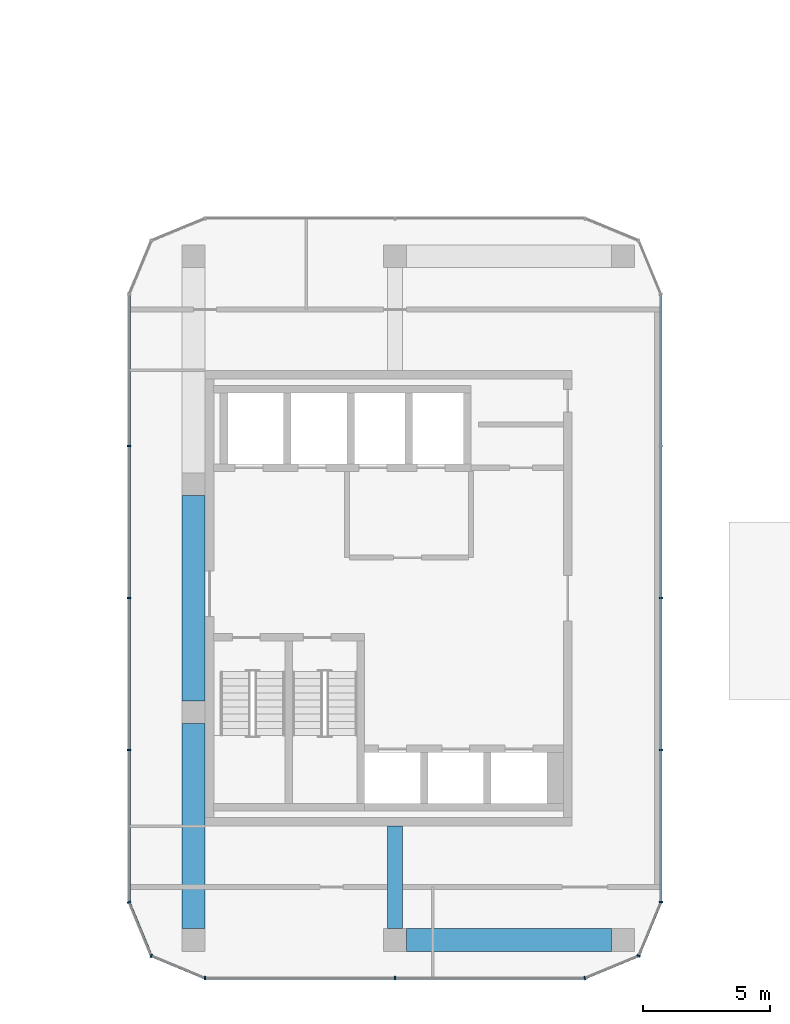
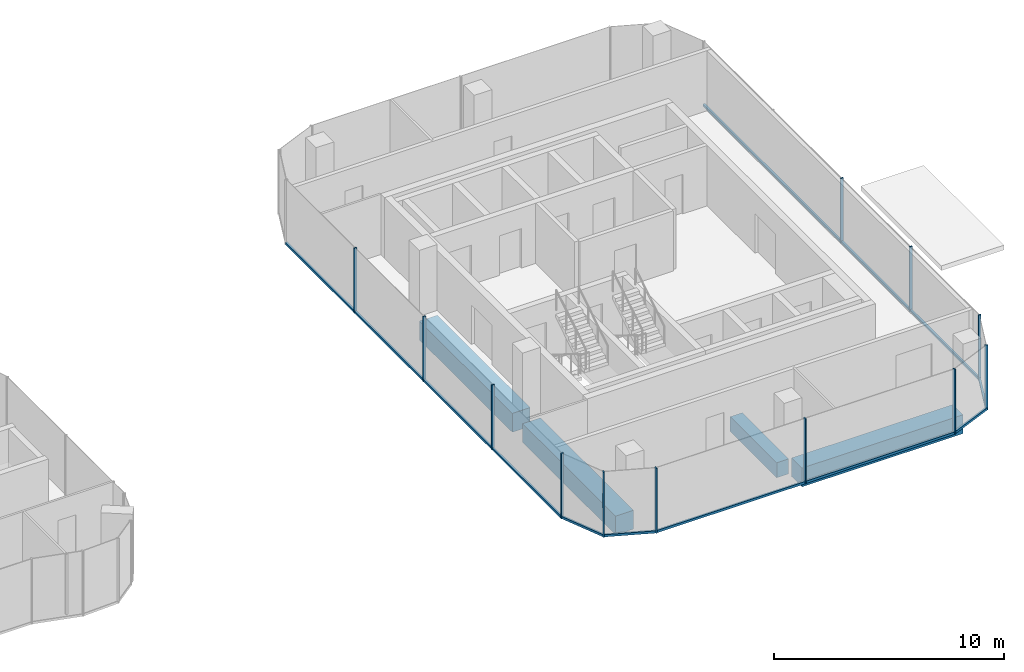
# One storey, part 7 of 19: 19 members, 4 beams, 7 elements without a shape of their own.
"""IFC4 building model written with IfcOpenShell, lengths in metres."""

from ifc_helpers import new_model, si_unit, direction, frame, origin, origin_2d, place, context, subcontext, project, spatial, rectangle, extrude, material, layer, layer_set, material_profile, profile_set, type_object, element, aggregate, save


model = new_model("IFC4")

# Units and contexts
model_context = context("Model", 3, precision=1e-05, world=origin(), true_north=direction((0.0, 1.0)))
body_context = subcontext(model_context, "Body", "Model", "MODEL_VIEW")
ifc_project = project(units=[si_unit("LENGTHUNIT", "METRE"), si_unit("AREAUNIT", "SQUARE_METRE"), si_unit("VOLUMEUNIT", "CUBIC_METRE"), si_unit("PLANEANGLEUNIT", "RADIAN"), si_unit("MASSUNIT", "GRAM", prefix="KILO")], contexts=[model_context])

# Site, building, storey
site_placement = place(None, origin())
site = spatial("IfcSite", under=ifc_project, at=site_placement, CompositionType="ELEMENT")
building_placement = place(site_placement, origin())
building = spatial("IfcBuilding", under=site, at=building_placement, Name="Plateau Cross Towers", CompositionType="ELEMENT")
storey_placement = place(building_placement, frame((0.0, 0.0, 120.300048828125)))
storey = spatial("IfcBuildingStorey", under=building, at=storey_placement, Name="L31", CompositionType="ELEMENT", Elevation=120.300048828125)

# Beams
ifc_material_1 = material(Name="Concrete C60/75", Category="concrete")
ifc_material_profile_1 = material_profile(ifc_material_1, rectangle(XDim=0.89990234375, YDim=1.0, at=origin_2d()), Name="RC 900x1000")
ifc_profile_set_1 = profile_set([ifc_material_profile_1], Name="Concrete C60/75")
beam_type_1 = type_object("IfcBeamType", Name="Belt beam RC 900x1000", PredefinedType="BEAM", material=ifc_profile_set_1)
for number, where, z_axis, x_axis, name in (
    (1, (82.949951171875, -4.5, -0.75), (1.0, 0.0, 0.0), (0.0, 1.0, 0.0), "B-RB01@L31"),
    (2, (74.550048828125, 13.050048828125, -0.75), (0.0, -1.0, 0.0), (1.0, 0.0, 0.0), "B-RB04@L31"),
    (3, (74.550048828125, 4.050048828125, -0.75), (0.0, -1.0, 0.0), (1.0, 0.0, 0.0), "B-RB05@L31"),
):
    element("IfcBeam", number, at=place(storey_placement, frame(where, z_axis=z_axis, x_axis=x_axis)), inside=storey, type_object=beam_type_1, Name=name, PredefinedType="BEAM", context=body_context, shape_type="SweptSolid", body=[
        extrude(rectangle(XDim=0.89990234375, YDim=1.0, at=origin_2d()), origin(), (0.0, 0.0, 1.0), 8.10009765625),
    ])
ifc_material_profile_2 = material_profile(ifc_material_1, rectangle(XDim=0.60009765625, YDim=0.800048828125, at=origin_2d()), Name="RC 600x800")
ifc_profile_set_2 = profile_set([ifc_material_profile_2], Name="Concrete C60/75")
beam_type_2 = type_object("IfcBeamType", Name="Core beam RC 600x800", PredefinedType="BEAM", material=ifc_profile_set_2)
beam_placement = place(storey_placement, frame((82.5, 0.0, -0.650146484375), z_axis=(0.0, -1.0, 0.0), x_axis=(1.0, 0.0, 0.0)))
element("IfcBeam", 4, at=beam_placement, inside=storey, type_object=beam_type_2, Name="B-CB01@L31", PredefinedType="BEAM", context=body_context, shape_type="SweptSolid", body=[
    extrude(rectangle(XDim=0.60009765625, YDim=0.800048828125, at=origin_2d()), origin(), (0.0, 0.0, 1.0), 4.050048828125),
])

# Curtain wall, members
ifc_material_2 = material(Name="Dark low-iron glass", Category="glass")
ifc_layer = layer(ifc_material_2, 0.239990234375)
ifc_layer_set = layer_set([ifc_layer], Name="Dark low-iron glass")
curtain_wall_type = type_object("IfcCurtainWallType", Name="Curtain wall office unitised CW-F", PredefinedType="NOTDEFINED", material=ifc_layer_set)
curtain_wall_1_placement = place(storey_placement, origin())
curtain_wall_1 = element("IfcCurtainWall", 5, at=curtain_wall_1_placement, inside=storey, type_object=curtain_wall_type, Name="ENV/B/L31/B750_-60", PredefinedType="NOTDEFINED")
ifc_material_3 = material(Name="Black anodised aluminium", Category="aluminium")
ifc_material_profile_3 = material_profile(ifc_material_3, rectangle(XDim=0.06005859375, YDim=0.139892578125, at=origin_2d()), Name="MULLION 60x140")
ifc_profile_set_3 = profile_set([ifc_material_profile_3], Name="Black anodised aluminium")
member_type_1 = type_object("IfcMemberType", Name="Mullion 60x140 office unitised", PredefinedType="MULLION", material=ifc_profile_set_3)
member_1_placement = place(storey_placement, frame((75.0, -6.0, -0.25), z_axis=(0.0, 0.0, 1.0), x_axis=(1.0, 0.0, 0.0)))
member_1 = element("IfcMember", 6, at=member_1_placement, type_object=member_type_1, Name="CW-F mullion 1", PredefinedType="MULLION", context=body_context, shape_type="SweptSolid", body=[
    extrude(rectangle(XDim=0.06005859375, YDim=0.139892578125, at=origin_2d()), origin(), (0.0, 0.0, 1.0), 3.449951171875),
])
member_2_placement = place(storey_placement, frame((82.5, -6.0, -0.25), z_axis=(0.0, 0.0, 1.0), x_axis=(1.0, 0.0, 0.0)))
member_2 = element("IfcMember", 7, at=member_2_placement, type_object=member_type_1, Name="CW-F mullion 2", PredefinedType="MULLION", context=body_context, shape_type="SweptSolid", body=[
    extrude(rectangle(XDim=0.06005859375, YDim=0.139892578125, at=origin_2d()), origin(), (0.0, 0.0, 1.0), 3.449951171875),
])

# Curtain wall, member
curtain_wall_2_placement = place(storey_placement, origin())
curtain_wall_2 = element("IfcCurtainWall", 8, at=curtain_wall_2_placement, inside=storey, type_object=curtain_wall_type, Name="ENV/B/L31/B900_-60", PredefinedType="NOTDEFINED")
member_3_placement = place(storey_placement, frame((90.0, -6.0, -0.25), z_axis=(0.0, 0.0, 1.0), x_axis=(0.923879457699, 0.382683612978, 0.0)))
member_3 = element("IfcMember", 9, at=member_3_placement, type_object=member_type_1, Name="CW-F mullion 1", PredefinedType="MULLION", context=body_context, shape_type="SweptSolid", body=[
    extrude(rectangle(XDim=0.06005859375, YDim=0.139892578125, at=origin_2d()), origin(), (0.0, 0.0, 1.0), 3.449951171875),
])

curtain_wall_3_placement = place(storey_placement, origin())
curtain_wall_3 = element("IfcCurtainWall", 10, at=curtain_wall_3_placement, inside=storey, type_object=curtain_wall_type, Name="ENV/B/L31/B921_-51", PredefinedType="NOTDEFINED")
member_4_placement = place(storey_placement, frame((92.121337890625, -5.121337890625, -0.25), z_axis=(0.0, 0.0, 1.0), x_axis=(0.382683612978, 0.923879457699, 0.0)))
member_4 = element("IfcMember", 11, at=member_4_placement, type_object=member_type_1, Name="CW-F mullion 1", PredefinedType="MULLION", context=body_context, shape_type="SweptSolid", body=[
    extrude(rectangle(XDim=0.06005859375, YDim=0.139892578125, at=origin_2d()), origin(), (0.0, 0.0, 1.0), 3.449951171875),
])

# Curtain wall, members
curtain_wall_4_placement = place(storey_placement, origin())
curtain_wall_4 = element("IfcCurtainWall", 12, at=curtain_wall_4_placement, inside=storey, type_object=curtain_wall_type, Name="ENV/B/L31/B930_-30", PredefinedType="NOTDEFINED")
member_5_placement = place(storey_placement, frame((93.0, -3.0, -0.25), z_axis=(0.0, 0.0, 1.0), x_axis=(0.0, 1.0, 0.0)))
member_5 = element("IfcMember", 13, at=member_5_placement, type_object=member_type_1, Name="CW-F mullion 1", PredefinedType="MULLION", context=body_context, shape_type="SweptSolid", body=[
    extrude(rectangle(XDim=0.06005859375, YDim=0.139892578125, at=origin_2d()), origin(), (0.0, 0.0, 1.0), 3.449951171875),
])
member_6_placement = place(storey_placement, frame((93.0, 3.0, -0.25), z_axis=(0.0, 0.0, 1.0), x_axis=(0.0, 1.0, 0.0)))
member_6 = element("IfcMember", 14, at=member_6_placement, type_object=member_type_1, Name="CW-F mullion 2", PredefinedType="MULLION", context=body_context, shape_type="SweptSolid", body=[
    extrude(rectangle(XDim=0.06005859375, YDim=0.139892578125, at=origin_2d()), origin(), (0.0, 0.0, 1.0), 3.449951171875),
])
member_7_placement = place(storey_placement, frame((93.0, 9.0, -0.25), z_axis=(0.0, 0.0, 1.0), x_axis=(0.0, 1.0, 0.0)))
member_7 = element("IfcMember", 15, at=member_7_placement, type_object=member_type_1, Name="CW-F mullion 3", PredefinedType="MULLION", context=body_context, shape_type="SweptSolid", body=[
    extrude(rectangle(XDim=0.06005859375, YDim=0.139892578125, at=origin_2d()), origin(), (0.0, 0.0, 1.0), 3.449951171875),
])

curtain_wall_5_placement = place(storey_placement, origin())
curtain_wall_5 = element("IfcCurtainWall", 16, at=curtain_wall_5_placement, inside=storey, type_object=curtain_wall_type, Name="ENV/B/L31/B720_210", PredefinedType="NOTDEFINED")
member_8_placement = place(storey_placement, frame((72.0, 15.0, -0.25), z_axis=(0.0, 0.0, 1.0), x_axis=(0.0, -1.0, 0.0)))
member_8 = element("IfcMember", 17, at=member_8_placement, type_object=member_type_1, Name="CW-F mullion 2", PredefinedType="MULLION", context=body_context, shape_type="SweptSolid", body=[
    extrude(rectangle(XDim=0.06005859375, YDim=0.139892578125, at=origin_2d()), origin(), (0.0, 0.0, 1.0), 3.449951171875),
])
member_9_placement = place(storey_placement, frame((72.0, 9.0, -0.25), z_axis=(0.0, 0.0, 1.0), x_axis=(0.0, -1.0, 0.0)))
member_9 = element("IfcMember", 18, at=member_9_placement, type_object=member_type_1, Name="CW-F mullion 3", PredefinedType="MULLION", context=body_context, shape_type="SweptSolid", body=[
    extrude(rectangle(XDim=0.06005859375, YDim=0.139892578125, at=origin_2d()), origin(), (0.0, 0.0, 1.0), 3.449951171875),
])
member_10_placement = place(storey_placement, frame((72.0, 3.0, -0.25), z_axis=(0.0, 0.0, 1.0), x_axis=(0.0, -1.0, 0.0)))
member_10 = element("IfcMember", 19, at=member_10_placement, type_object=member_type_1, Name="CW-F mullion 4", PredefinedType="MULLION", context=body_context, shape_type="SweptSolid", body=[
    extrude(rectangle(XDim=0.06005859375, YDim=0.139892578125, at=origin_2d()), origin(), (0.0, 0.0, 1.0), 3.449951171875),
])

# Curtain wall, member
curtain_wall_6_placement = place(storey_placement, origin())
curtain_wall_6 = element("IfcCurtainWall", 20, at=curtain_wall_6_placement, inside=storey, type_object=curtain_wall_type, Name="ENV/B/L31/B720_-30", PredefinedType="NOTDEFINED")
member_11_placement = place(storey_placement, frame((72.0, -3.0, -0.25), z_axis=(0.0, 0.0, 1.0), x_axis=(0.382683612978, -0.923879457699, 0.0)))
member_11 = element("IfcMember", 21, at=member_11_placement, type_object=member_type_1, Name="CW-F mullion 1", PredefinedType="MULLION", context=body_context, shape_type="SweptSolid", body=[
    extrude(rectangle(XDim=0.06005859375, YDim=0.139892578125, at=origin_2d()), origin(), (0.0, 0.0, 1.0), 3.449951171875),
])

curtain_wall_7_placement = place(storey_placement, origin())
curtain_wall_7 = element("IfcCurtainWall", 22, at=curtain_wall_7_placement, inside=storey, type_object=curtain_wall_type, Name="ENV/B/L31/B729_-51", PredefinedType="NOTDEFINED")
member_12_placement = place(storey_placement, frame((72.878662109375, -5.121337890625, -0.25), z_axis=(0.0, 0.0, 1.0), x_axis=(0.923879457699, -0.382683612978, 0.0)))
member_12 = element("IfcMember", 23, at=member_12_placement, type_object=member_type_1, Name="CW-F mullion 1", PredefinedType="MULLION", context=body_context, shape_type="SweptSolid", body=[
    extrude(rectangle(XDim=0.06005859375, YDim=0.139892578125, at=origin_2d()), origin(), (0.0, 0.0, 1.0), 3.449951171875),
])

# Member
ifc_material_profile_4 = material_profile(ifc_material_3, rectangle(XDim=0.10009765625, YDim=0.1201171875, at=origin_2d()), Name="TRANSOM 100x120")
ifc_profile_set_4 = profile_set([ifc_material_profile_4], Name="Black anodised aluminium")
member_type_2 = type_object("IfcMemberType", Name="Transom 100x120 office unitised", PredefinedType="USERDEFINED", material=ifc_profile_set_4)
member_13_placement = place(storey_placement, frame((75.0, -6.0, -0.18994140625), z_axis=(1.0, 0.0, 0.0), x_axis=(0.0, 1.0, 0.0)))
member_13 = element("IfcMember", 24, at=member_13_placement, type_object=member_type_2, Name="CW-F transom", ObjectType="TRANSOM", PredefinedType="USERDEFINED", context=body_context, shape_type="SweptSolid", body=[
    extrude(rectangle(XDim=0.10009765625, YDim=0.1201171875, at=origin_2d()), origin(), (0.0, 0.0, 1.0), 15.0),
])

aggregate(curtain_wall_1, [member_1, member_2, member_13])

member_14_placement = place(storey_placement, frame((90.0, -6.0, -0.18994140625), z_axis=(0.923883353507, 0.382674207535, 0.0), x_axis=(-0.382674207535, 0.923883353507, 0.0)))
member_14 = element("IfcMember", 25, at=member_14_placement, type_object=member_type_2, Name="CW-F transom", ObjectType="TRANSOM", PredefinedType="USERDEFINED", context=body_context, shape_type="SweptSolid", body=[
    extrude(rectangle(XDim=0.10009765625, YDim=0.1201171875, at=origin_2d()), origin(), (0.0, 0.0, 1.0), 2.296142578125),
])

aggregate(curtain_wall_2, [member_3, member_14])

member_15_placement = place(storey_placement, frame((92.121337890625, -5.121337890625, -0.18994140625), z_axis=(0.382674207535, 0.923883353507, 0.0), x_axis=(-0.923883353507, 0.382674207535, 0.0)))
member_15 = element("IfcMember", 26, at=member_15_placement, type_object=member_type_2, Name="CW-F transom", ObjectType="TRANSOM", PredefinedType="USERDEFINED", context=body_context, shape_type="SweptSolid", body=[
    extrude(rectangle(XDim=0.10009765625, YDim=0.1201171875, at=origin_2d()), origin(), (0.0, 0.0, 1.0), 2.296142578125),
])

aggregate(curtain_wall_3, [member_4, member_15])

member_16_placement = place(storey_placement, frame((93.0, -3.0, -0.18994140625), z_axis=(0.0, 1.0, 0.0), x_axis=(-1.0, 0.0, 0.0)))
member_16 = element("IfcMember", 27, at=member_16_placement, type_object=member_type_2, Name="CW-F transom", ObjectType="TRANSOM", PredefinedType="USERDEFINED", context=body_context, shape_type="SweptSolid", body=[
    extrude(rectangle(XDim=0.10009765625, YDim=0.1201171875, at=origin_2d()), origin(), (0.0, 0.0, 1.0), 24.0),
])

aggregate(curtain_wall_4, [member_5, member_6, member_7, member_16])

member_17_placement = place(storey_placement, frame((72.0, 21.0, -0.18994140625), z_axis=(0.0, -1.0, 0.0), x_axis=(1.0, 0.0, 0.0)))
member_17 = element("IfcMember", 28, at=member_17_placement, type_object=member_type_2, Name="CW-F transom", ObjectType="TRANSOM", PredefinedType="USERDEFINED", context=body_context, shape_type="SweptSolid", body=[
    extrude(rectangle(XDim=0.10009765625, YDim=0.1201171875, at=origin_2d()), origin(), (0.0, 0.0, 1.0), 24.0),
])

aggregate(curtain_wall_5, [member_8, member_9, member_10, member_17])

member_18_placement = place(storey_placement, frame((72.0, -3.0, -0.18994140625), z_axis=(0.382674207535, -0.923883353507, 0.0), x_axis=(0.923883353507, 0.382674207535, 0.0)))
member_18 = element("IfcMember", 29, at=member_18_placement, type_object=member_type_2, Name="CW-F transom", ObjectType="TRANSOM", PredefinedType="USERDEFINED", context=body_context, shape_type="SweptSolid", body=[
    extrude(rectangle(XDim=0.10009765625, YDim=0.1201171875, at=origin_2d()), origin(), (0.0, 0.0, 1.0), 2.296142578125),
])

aggregate(curtain_wall_6, [member_11, member_18])

member_19_placement = place(storey_placement, frame((72.878662109375, -5.121337890625, -0.18994140625), z_axis=(0.923883353507, -0.382674207535, 0.0), x_axis=(0.382674207535, 0.923883353507, 0.0)))
member_19 = element("IfcMember", 30, at=member_19_placement, type_object=member_type_2, Name="CW-F transom", ObjectType="TRANSOM", PredefinedType="USERDEFINED", context=body_context, shape_type="SweptSolid", body=[
    extrude(rectangle(XDim=0.10009765625, YDim=0.1201171875, at=origin_2d()), origin(), (0.0, 0.0, 1.0), 2.296142578125),
])

aggregate(curtain_wall_7, [member_12, member_19])

save(model, "model.ifc")
